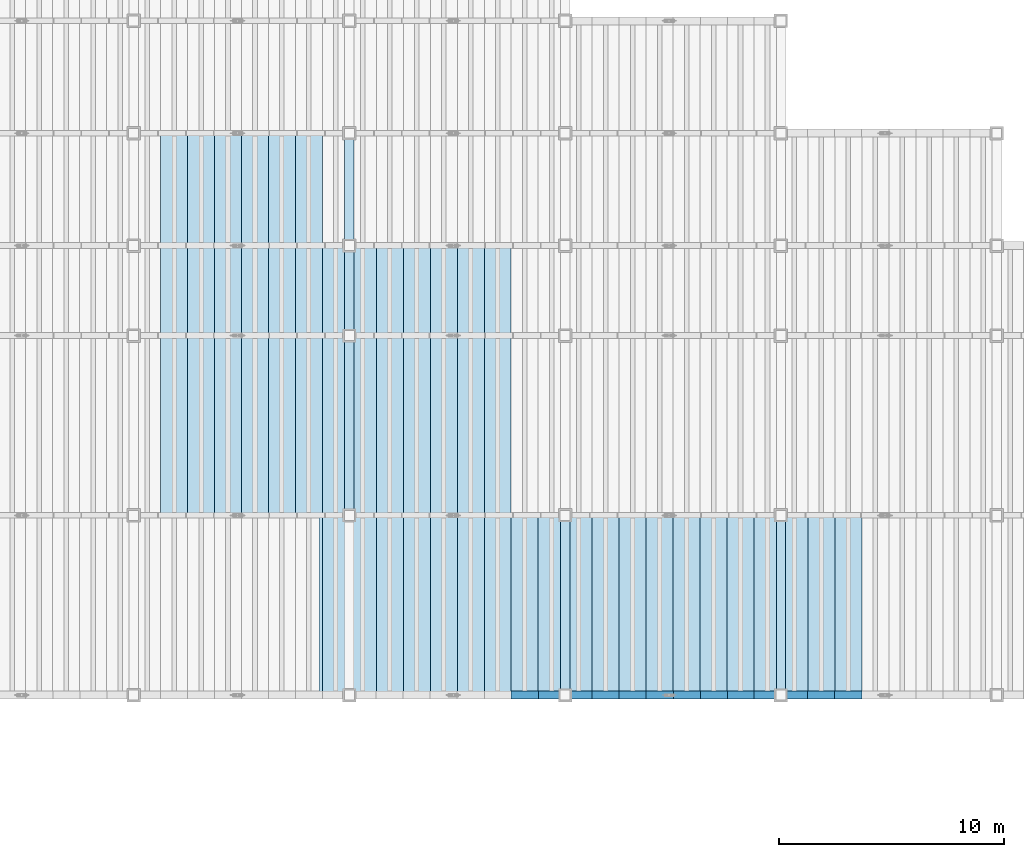
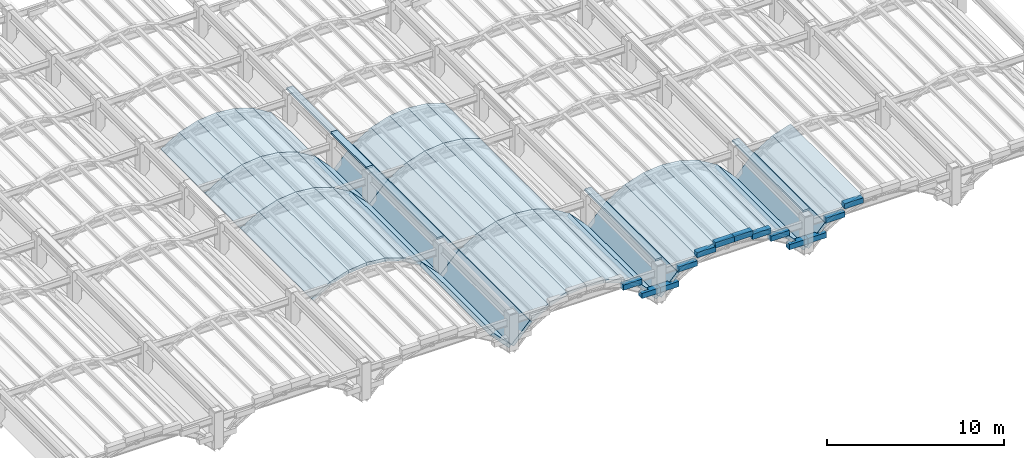
# One storey, part 36 of 70: 52 slabs, 18 plates.
"""IFC4 building model written with IfcOpenShell, lengths in metres."""

import ifcopenshell
import ifcopenshell.guid

model = None  # the IFC model being written
_history = None  # IfcOwnerHistory: only IFC2X3 demands one
_inside = {}  # id of a spatial element -> (the spatial element, [elements in it])
_under = {}  # id of a project, library or spatial element -> (it, [spatial elements below it])
_declared = {}  # id of a project -> (the project, [libraries it declares])
_typed = {}  # id of a type object -> (the type object, [elements of that type])
_made_of = {}  # id of a material, layer set ... -> (it, [elements and type objects made of it])


def new_model(schema):
    """Start an empty IFC model of exactly this schema.

    Asked for "IFC4X3", IfcOpenShell would pick the latest addendum, in which some entities
    have other attributes; the version numbers below select the first issue.
    IFC2X3 requires an IfcOwnerHistory on every rooted entity: one is made here for all.
    """
    global model, _history
    if schema == "IFC4X3":
        model = ifcopenshell.file(schema_version=(4, 3, 0, 0))
    else:
        model = ifcopenshell.file(schema=schema)
    _inside.clear()
    _under.clear()
    _declared.clear()
    _typed.clear()
    _made_of.clear()
    _history = None
    if model.schema == "IFC2X3":
        org = make("IfcOrganization", Name="unknown")
        user = make(
            "IfcPersonAndOrganization",
            ThePerson=make("IfcPerson", FamilyName="unknown"),
            TheOrganization=org,
        )
        app = make(
            "IfcApplication",
            ApplicationDeveloper=org,
            Version="unknown",
            ApplicationFullName="unknown",
            ApplicationIdentifier="unknown",
        )
        _history = make(
            "IfcOwnerHistory",
            OwningUser=user,
            OwningApplication=app,
            ChangeAction="ADDED",
            CreationDate=0,
        )
    return model


def make(cls, **values):
    """One entity of the class cls with the attributes given. An attribute that is None is left unset."""
    return model.create_entity(
        cls, **{name: value for name, value in values.items() if value is not None}
    )


def rooted(cls, **values):
    """An entity with a GlobalId (a new one), such as an element, a storey or a relation."""
    return make(cls, GlobalId=ifcopenshell.guid.new(), OwnerHistory=_history, **values)


def si_unit(unit_type, name, prefix=None):
    """IfcSIUnit, for example si_unit("LENGTHUNIT", "METRE", prefix="MILLI")."""
    return make("IfcSIUnit", UnitType=unit_type, Prefix=prefix, Name=name)


def assignment(units):
    """IfcUnitAssignment: the units of a project."""
    return None if units is None else make("IfcUnitAssignment", Units=units)


def point(xyz):
    """IfcCartesianPoint."""
    return None if xyz is None else make("IfcCartesianPoint", Coordinates=xyz)


def direction(xyz):
    """IfcDirection."""
    return None if xyz is None else make("IfcDirection", DirectionRatios=xyz)


def frame(location, z_axis=None, x_axis=None):
    """IfcAxis2Placement3D, a coordinate frame: its origin and axes. An axis left out is left unset."""
    return make(
        "IfcAxis2Placement3D",
        Location=point(location),
        Axis=direction(z_axis),
        RefDirection=direction(x_axis),
    )


def frame_2d(location, x_axis=None):
    """IfcAxis2Placement2D, a coordinate frame in the plane: its origin and x axis."""
    return make(
        "IfcAxis2Placement2D", Location=point(location), RefDirection=direction(x_axis)
    )


def origin():
    """The frame at (0, 0, 0) with its axes left unset."""
    return frame((0.0, 0.0, 0.0))


def origin_2d():
    """The frame at (0, 0) in the plane with its x axis left unset."""
    return frame_2d((0.0, 0.0))


def place(relative_to, where):
    """IfcLocalPlacement: puts the frame where relative to a parent placement (None: the world)."""
    return make(
        "IfcLocalPlacement", PlacementRelTo=relative_to, RelativePlacement=where
    )


def context(
    kind, dimensions, precision=None, world=None, true_north=None, identifier=None
):
    """IfcGeometricRepresentationContext, for example the 3D "Model" context."""
    return make(
        "IfcGeometricRepresentationContext",
        ContextIdentifier=identifier,
        ContextType=kind,
        CoordinateSpaceDimension=dimensions,
        Precision=precision,
        WorldCoordinateSystem=world,
        TrueNorth=true_north,
    )


def subcontext(parent, identifier, kind, view, scale=None):
    """IfcGeometricRepresentationSubContext, for example "Body" below "Model"."""
    return make(
        "IfcGeometricRepresentationSubContext",
        ContextIdentifier=identifier,
        ContextType=kind,
        ParentContext=parent,
        TargetScale=scale,
        TargetView=view,
    )


def project(units=None, contexts=None):
    """IfcProject with its units and contexts."""
    return rooted(
        "IfcProject",
        Name="project",
        RepresentationContexts=contexts,
        UnitsInContext=assignment(units),
    )


def spatial(cls, under=None, at=None, **own):
    """A site, building, storey or space (cls), placed at a placement, below another one or the project."""
    s = rooted(cls, ObjectPlacement=at, **own)
    if under is not None:
        _under.setdefault(under.id(), (under, []))[1].append(s)
    return s


def polyline(points):
    """IfcPolyline through the points."""
    return make("IfcPolyline", Points=[point(p) for p in points])


def profile(cls, at=None, kind="AREA", **sizes):
    """A parametric profile (cls). Its sizes go by their IFC names, for example OverallWidth=200.0."""
    return make(cls, ProfileType=kind, Position=at, **sizes)


def rectangle(**sizes):
    """IfcRectangleProfileDef."""
    return profile("IfcRectangleProfileDef", **sizes)


def outline(outer, holes=None, kind="AREA"):
    """IfcArbitraryClosedProfileDef: a profile drawn as a closed curve; with holes, ...WithVoids."""
    if holes is None:
        return make("IfcArbitraryClosedProfileDef", ProfileType=kind, OuterCurve=outer)
    return make(
        "IfcArbitraryProfileDefWithVoids",
        ProfileType=kind,
        OuterCurve=outer,
        InnerCurves=holes,
    )


def extrude(swept, where, along, depth):
    """IfcExtrudedAreaSolid: the profile swept, set in the frame where, extruded along a direction by depth."""
    return make(
        "IfcExtrudedAreaSolid",
        SweptArea=swept,
        Position=where,
        ExtrudedDirection=direction(along),
        Depth=depth,
    )


def shape(context_of_items, identifier, shape_type, items):
    """IfcShapeRepresentation: the items that make up one representation, for example the "Body"."""
    return make(
        "IfcShapeRepresentation",
        ContextOfItems=context_of_items,
        RepresentationIdentifier=identifier,
        RepresentationType=shape_type,
        Items=items,
    )


def material(Name=None, Category=None):
    """IfcMaterial."""
    return make("IfcMaterial", Name=Name, Category=Category)


def layer(
    of_material, thickness, ventilated=None, Name=None, Category=None, Priority=None
):
    """IfcMaterialLayer: one layer of a wall or slab, of a material (None: an air gap)."""
    return make(
        "IfcMaterialLayer",
        Material=of_material,
        LayerThickness=thickness,
        IsVentilated=ventilated,
        Name=Name,
        Category=Category,
        Priority=Priority,
    )


def layer_set(layers, Name=None):
    """IfcMaterialLayerSet."""
    return make("IfcMaterialLayerSet", MaterialLayers=layers, LayerSetName=Name)


def made_of(thing, what):
    """Note that an element or type object is made of a material, layer set ...; save() writes the relation."""
    if what is not None:
        _made_of.setdefault(what.id(), (what, []))[1].append(thing)
    return thing


def type_object(cls, material=None, **own):
    """A type object (cls), such as IfcWallType, which elements share."""
    return made_of(rooted(cls, **own), material)


def element(
    cls,
    number,
    at=None,
    inside=None,
    cuts=None,
    type_object=None,
    material=None,
    context=None,
    identifier="Body",
    shape_type=None,
    held_by="IfcProductDefinitionShape",
    body=None,
    shapes=None,
    **own,
):
    """One element of the class cls, such as IfcWall. Its Tag is "e" and its number.

    at: its placement. inside: the storey or other place that contains it. cuts: it is an
    opening in that element (IfcRelVoidsElement). A single representation is given by context,
    identifier, shape_type and body (its items); several are given by shapes. held_by: the class
    of the entity that holds the representations. save() writes the other relations.
    """
    e = rooted(cls, Tag="e%d" % number, ObjectPlacement=at, **own)
    if body is not None:
        shapes = [shape(context, identifier, shape_type, body)]
    if shapes is not None:
        e.Representation = make(held_by, Representations=shapes)
    if inside is not None:
        _inside.setdefault(inside.id(), (inside, []))[1].append(e)
    if cuts is not None:
        rooted(
            "IfcRelVoidsElement", RelatingBuildingElement=cuts, RelatedOpeningElement=e
        )
    if type_object is not None:
        _typed.setdefault(type_object.id(), (type_object, []))[1].append(e)
    return made_of(e, material)


def aggregate(whole, parts):
    """IfcRelAggregates: a whole, such as a stair, and the parts it consists of."""
    return rooted("IfcRelAggregates", RelatingObject=whole, RelatedObjects=parts)


def save(model, path):
    """Write the relations noted so far, then the file.

    IfcRelAggregates (storeys below a building ...), IfcRelContainedInSpatialStructure (elements
    in a storey), IfcRelDefinesByType, IfcRelAssociatesMaterial and IfcRelDeclares: one each for
    every whole, place, type object, material and project.
    """
    for whole, parts in _under.values():
        aggregate(whole, parts)
    for where, things in _inside.values():
        rooted(
            "IfcRelContainedInSpatialStructure",
            RelatedElements=things,
            RelatingStructure=where,
        )
    for kind, things in _typed.values():
        rooted("IfcRelDefinesByType", RelatedObjects=things, RelatingType=kind)
    for what, things in _made_of.values():
        rooted("IfcRelAssociatesMaterial", RelatedObjects=things, RelatingMaterial=what)
    for by, libraries in _declared.values():
        rooted("IfcRelDeclares", RelatingContext=by, RelatedDefinitions=libraries)
    model.write(path)


model = new_model("IFC4")

# Units and contexts
model_context = context("Model", 3, precision=1e-05, world=origin(), true_north=direction((0.0, 1.0)))
body_context = subcontext(model_context, "Body", "Model", "MODEL_VIEW")
ifc_project = project(units=[si_unit("LENGTHUNIT", "METRE"), si_unit("AREAUNIT", "SQUARE_METRE"), si_unit("VOLUMEUNIT", "CUBIC_METRE"), si_unit("PLANEANGLEUNIT", "RADIAN"), si_unit("MASSUNIT", "GRAM", prefix="KILO")], contexts=[model_context])

# Site, building, storey
site_placement = place(None, origin())
site = spatial("IfcSite", under=ifc_project, at=site_placement, CompositionType="ELEMENT")
building_placement = place(site_placement, origin())
building = spatial("IfcBuilding", under=site, at=building_placement, Name="Mavantir Sound Aquarium", CompositionType="ELEMENT")
storey_placement = place(building_placement, frame((0.0, 0.0, 27.0)))
storey = spatial("IfcBuildingStorey", under=building, at=storey_placement, Name="RF", CompositionType="ELEMENT", Elevation=27.0)

# Plates
ifc_material_1 = material(Name="Patinated Bronze-Copper Architectural Fascia", Category="metal")
ifc_layer_1 = layer(ifc_material_1, 0.179931640625, Name="Patinated Bronze-Copper Architectural Fascia")
ifc_layer_set_1 = layer_set([ifc_layer_1], Name="Patinated Bronze-Copper Architectural Fascia")
plate_type = type_object("IfcPlateType", Name="PLT-FASCIA-BZ", PredefinedType="SHEET", material=ifc_layer_set_1)
plate_1_placement = place(storey_placement, frame((136.800048828125, 52.800048828125, -4.52001953125), z_axis=(0.0, 0.0, 1.0), x_axis=(1.0, 0.0, 0.0)))
element("IfcPlate", 1, at=plate_1_placement, inside=storey, type_object=plate_type, Name="Scalloped roof bronze ridge fascia 28", PredefinedType="SHEET", context=body_context, shape_type="SweptSolid", body=[
    extrude(rectangle(XDim=0.419921875, YDim=8.0, at=origin_2d()), origin(), (0.0, 0.0, 1.0), 0.139892578125),
])
plate_2_placement = place(storey_placement, frame((136.800048828125, 58.800048828125, -4.52001953125), z_axis=(0.0, 0.0, 1.0), x_axis=(1.0, 0.0, 0.0)))
element("IfcPlate", 2, at=plate_2_placement, inside=storey, type_object=plate_type, Name="Scalloped roof bronze ridge fascia 29", PredefinedType="SHEET", context=body_context, shape_type="SweptSolid", body=[
    extrude(rectangle(XDim=0.419921875, YDim=4.0, at=origin_2d()), origin(), (0.0, 0.0, 1.0), 0.139892578125),
])
plate_3_placement = place(storey_placement, frame((136.800048828125, 63.300048828125, -4.52001953125), z_axis=(0.0, 0.0, 1.0), x_axis=(1.0, 0.0, 0.0)))
element("IfcPlate", 3, at=plate_3_placement, inside=storey, type_object=plate_type, Name="Scalloped roof bronze ridge fascia 30", PredefinedType="SHEET", context=body_context, shape_type="SweptSolid", body=[
    extrude(rectangle(XDim=0.419921875, YDim=5.0, at=origin_2d()), origin(), (0.0, 0.0, 1.0), 0.139892578125),
])
for number, where, z_axis, x_axis, name in (
    (4, (146.39990234375, 44.800048828125, -4.52001953125), (0.0, 0.0, 1.0), (1.0, 0.0, 0.0), "Scalloped roof bronze ridge fascia 34"),
    (5, (156.0, 44.800048828125, -4.52001953125), (0.0, 0.0, 1.0), (1.0, 0.0, 0.0), "Scalloped roof bronze ridge fascia 40"),
):
    element("IfcPlate", number, at=place(storey_placement, frame(where, z_axis=z_axis, x_axis=x_axis)), inside=storey, type_object=plate_type, Name=name, PredefinedType="SHEET", context=body_context, shape_type="SweptSolid", body=[
        extrude(rectangle(XDim=0.419921875, YDim=8.0, at=origin_2d()), origin(), (0.0, 0.0, 1.0), 0.139892578125),
    ])
for number, where, z_axis, x_axis, name in (
    (6, (144.60009765625, 40.800048828125, -5.6455078125), (0.0, 0.0, 1.0), (1.0, 0.0, 0.0), "Scalloped bay 4 curved bronze end fascia 106"),
    (7, (145.800048828125, 40.800048828125, -6.638671875), (0.0, 0.0, 1.0), (1.0, 0.0, 0.0), "Scalloped bay 4 curved bronze end fascia 107"),
    (8, (147.0, 40.800048828125, -6.638671875), (0.0, 0.0, 1.0), (1.0, 0.0, 0.0), "Scalloped bay 5 curved bronze end fascia 116"),
    (9, (148.199951171875, 40.800048828125, -5.6455078125), (0.0, 0.0, 1.0), (1.0, 0.0, 0.0), "Scalloped bay 5 curved bronze end fascia 117"),
    (10, (149.39990234375, 40.800048828125, -5.08935546875), (0.0, 0.0, 1.0), (1.0, 0.0, 0.0), "Scalloped bay 5 curved bronze end fascia 118"),
    (11, (150.60009765625, 40.800048828125, -4.83203125), (0.0, 0.0, 1.0), (1.0, 0.0, 0.0), "Scalloped bay 5 curved bronze end fascia 119"),
    (12, (151.800048828125, 40.800048828125, -4.83203125), (0.0, 0.0, 1.0), (1.0, 0.0, 0.0), "Scalloped bay 5 curved bronze end fascia 120"),
    (13, (153.0, 40.800048828125, -5.08935546875), (0.0, 0.0, 1.0), (1.0, 0.0, 0.0), "Scalloped bay 5 curved bronze end fascia 121"),
    (14, (154.199951171875, 40.800048828125, -5.6455078125), (0.0, 0.0, 1.0), (1.0, 0.0, 0.0), "Scalloped bay 5 curved bronze end fascia 122"),
    (15, (155.39990234375, 40.800048828125, -6.638671875), (0.0, 0.0, 1.0), (1.0, 0.0, 0.0), "Scalloped bay 5 curved bronze end fascia 123"),
    (16, (156.60009765625, 40.800048828125, -6.638671875), (0.0, 0.0, 1.0), (1.0, 0.0, 0.0), "Scalloped bay 6 curved bronze end fascia 132"),
    (17, (157.800048828125, 40.800048828125, -5.6455078125), (0.0, 0.0, 1.0), (1.0, 0.0, 0.0), "Scalloped bay 6 curved bronze end fascia 133"),
    (18, (159.0, 40.800048828125, -5.08935546875), (0.0, 0.0, 1.0), (1.0, 0.0, 0.0), "Scalloped bay 6 curved bronze end fascia 134"),
):
    element("IfcPlate", number, at=place(storey_placement, frame(where, z_axis=z_axis, x_axis=x_axis)), inside=storey, type_object=plate_type, Name=name, PredefinedType="SHEET", context=body_context, shape_type="SweptSolid", body=[
        extrude(rectangle(XDim=1.219970703125, YDim=0.360107421875, at=origin_2d()), origin(), (0.0, 0.0, 1.0), 0.360107421875),
    ])

# Slabs
ifc_material_2 = material(Name="Concrete C40/50", Category="concrete")
ifc_layer_2 = layer(ifc_material_2, 0.219970703125, Name="Concrete C40/50")
ifc_layer_set_2 = layer_set([ifc_layer_2], Name="Concrete C40/50")
slab_type = type_object("IfcSlabType", Name="SLB-RF-SC", PredefinedType="ROOF", material=ifc_layer_set_2)
slab_1_placement = place(storey_placement, frame((135.60009765625, 40.800048828125, -5.716796875), z_axis=(0.725020424784, 0.0, 0.688727365252), x_axis=(0.688727365252, 0.0, -0.725020424784)))
element("IfcSlab", 19, at=slab_1_placement, inside=storey, type_object=slab_type, Name="Scalloped bay 3 sagging-arc roof panel 144", PredefinedType="ROOF", context=body_context, shape_type="SweptSolid", body=[
    extrude(outline(polyline([(0.0, 0.0), (1.74227311475651, 0.0), (1.74227311475651, 8.0), (0.0, 8.0), (0.0, 0.0)])), origin(), (0.0, 0.0, -1.0), 0.219970703125),
])
slab_2_placement = place(storey_placement, frame((128.39990234375, 48.800048828125, -5.716796875), z_axis=(-0.515827757501, 0.0, 0.856692316174), x_axis=(0.856692316174, 0.0, 0.515827757501)))
element("IfcSlab", 20, at=slab_2_placement, inside=storey, type_object=slab_type, Name="Scalloped bay 3 sagging-arc roof panel 146", PredefinedType="ROOF", context=body_context, shape_type="SweptSolid", body=[
    extrude(outline(polyline([(0.0, 0.0), (1.4009642550083266, 0.0), (1.4009642550083266, 8.0), (0.0, 8.0), (0.0, 0.0)])), origin(), (0.0, 0.0, -1.0), 0.219970703125),
])
slab_3_placement = place(storey_placement, frame((129.60009765625, 48.800048828125, -4.994140625), z_axis=(-0.309020441102, 0.0, 0.951055396379), x_axis=(0.951055396379, 0.0, 0.309020441102)))
element("IfcSlab", 21, at=slab_3_placement, inside=storey, type_object=slab_type, Name="Scalloped bay 3 sagging-arc roof panel 147", PredefinedType="ROOF", context=body_context, shape_type="SweptSolid", body=[
    extrude(outline(polyline([(0.0, 0.0), (1.2617048138772973, 0.0), (1.2617048138772973, 8.000000000000002), (0.0, 8.000000000000002), (0.0, 0.0)])), origin(), (0.0, 0.0, -1.0), 0.219970703125),
])
for number, where, z_axis, x_axis, name in (
    (22, (130.800048828125, 48.800048828125, -4.604248046875), (-0.103009624196, 0.0, 0.994680359373), (0.994680359373, 0.0, 0.103009624196), "Scalloped bay 3 sagging-arc roof panel 148"),
    (23, (132.0, 48.800048828125, -4.47998046875), (0.103009624196, 0.0, 0.994680359373), (0.994680359373, 0.0, -0.103009624196), "Scalloped bay 3 sagging-arc roof panel 149"),
):
    element("IfcSlab", number, at=place(storey_placement, frame(where, z_axis=z_axis, x_axis=x_axis)), inside=storey, type_object=slab_type, Name=name, PredefinedType="ROOF", context=body_context, shape_type="SweptSolid", body=[
        extrude(outline(polyline([(0.0, 0.0), (1.206368619393442, 0.0), (1.206368619393442, 8.000000000000002), (0.0, 8.000000000000002), (0.0, 0.0)])), origin(), (0.0, 0.0, -1.0), 0.219970703125),
    ])
slab_4_placement = place(storey_placement, frame((133.199951171875, 48.800048828125, -4.604248046875), z_axis=(0.309020441102, 0.0, 0.951055396379), x_axis=(0.951055396379, 0.0, -0.309020441102)))
element("IfcSlab", 24, at=slab_4_placement, inside=storey, type_object=slab_type, Name="Scalloped bay 3 sagging-arc roof panel 150", PredefinedType="ROOF", context=body_context, shape_type="SweptSolid", body=[
    extrude(outline(polyline([(0.0, 0.0), (1.2617048138772973, 0.0), (1.2617048138772973, 8.000000000000002), (0.0, 8.000000000000002), (0.0, 0.0)])), origin(), (0.0, 0.0, -1.0), 0.219970703125),
])
slab_5_placement = place(storey_placement, frame((134.39990234375, 48.800048828125, -4.994140625), z_axis=(0.515827757501, 0.0, 0.856692316174), x_axis=(0.856692316174, 0.0, -0.515827757501)))
element("IfcSlab", 25, at=slab_5_placement, inside=storey, type_object=slab_type, Name="Scalloped bay 3 sagging-arc roof panel 151", PredefinedType="ROOF", context=body_context, shape_type="SweptSolid", body=[
    extrude(outline(polyline([(0.0, 0.0), (1.4009642550083266, 0.0), (1.4009642550083266, 8.0), (0.0, 8.0), (0.0, 0.0)])), origin(), (0.0, 0.0, -1.0), 0.219970703125),
])
slab_6_placement = place(storey_placement, frame((135.60009765625, 48.800048828125, -5.716796875), z_axis=(0.725020424784, 0.0, 0.688727365252), x_axis=(0.688727365252, 0.0, -0.725020424784)))
element("IfcSlab", 26, at=slab_6_placement, inside=storey, type_object=slab_type, Name="Scalloped bay 3 sagging-arc roof panel 152", PredefinedType="ROOF", context=body_context, shape_type="SweptSolid", body=[
    extrude(outline(polyline([(0.0, 0.0), (1.74227311475651, 0.0), (1.74227311475651, 8.0), (0.0, 8.0), (0.0, 0.0)])), origin(), (0.0, 0.0, -1.0), 0.219970703125),
])
slab_7_placement = place(storey_placement, frame((128.39990234375, 56.800048828125, -5.716796875), z_axis=(-0.515827757501, 0.0, 0.856692316174), x_axis=(0.856692316174, 0.0, 0.515827757501)))
element("IfcSlab", 27, at=slab_7_placement, inside=storey, type_object=slab_type, Name="Scalloped bay 3 sagging-arc roof panel 154", PredefinedType="ROOF", context=body_context, shape_type="SweptSolid", body=[
    extrude(outline(polyline([(0.0, 0.0), (1.4009642550083266, 0.0), (1.4009642550083266, 4.0), (0.0, 4.0), (0.0, 0.0)])), origin(), (0.0, 0.0, -1.0), 0.219970703125),
])
slab_8_placement = place(storey_placement, frame((129.60009765625, 56.800048828125, -4.994140625), z_axis=(-0.309020441102, 0.0, 0.951055396379), x_axis=(0.951055396379, 0.0, 0.309020441102)))
element("IfcSlab", 28, at=slab_8_placement, inside=storey, type_object=slab_type, Name="Scalloped bay 3 sagging-arc roof panel 155", PredefinedType="ROOF", context=body_context, shape_type="SweptSolid", body=[
    extrude(outline(polyline([(0.0, 0.0), (1.2617048138772973, 0.0), (1.2617048138772973, 4.000000000000001), (0.0, 4.000000000000001), (0.0, 0.0)])), origin(), (0.0, 0.0, -1.0), 0.219970703125),
])
for number, where, z_axis, x_axis, name in (
    (29, (130.800048828125, 56.800048828125, -4.604248046875), (-0.103009624196, 0.0, 0.994680359373), (0.994680359373, 0.0, 0.103009624196), "Scalloped bay 3 sagging-arc roof panel 156"),
    (30, (132.0, 56.800048828125, -4.47998046875), (0.103009624196, 0.0, 0.994680359373), (0.994680359373, 0.0, -0.103009624196), "Scalloped bay 3 sagging-arc roof panel 157"),
):
    element("IfcSlab", number, at=place(storey_placement, frame(where, z_axis=z_axis, x_axis=x_axis)), inside=storey, type_object=slab_type, Name=name, PredefinedType="ROOF", context=body_context, shape_type="SweptSolid", body=[
        extrude(outline(polyline([(0.0, 0.0), (1.206368619393442, 0.0), (1.206368619393442, 4.000000000000001), (0.0, 4.000000000000001), (0.0, 0.0)])), origin(), (0.0, 0.0, -1.0), 0.219970703125),
    ])
slab_9_placement = place(storey_placement, frame((133.199951171875, 56.800048828125, -4.604248046875), z_axis=(0.309020441102, 0.0, 0.951055396379), x_axis=(0.951055396379, 0.0, -0.309020441102)))
element("IfcSlab", 31, at=slab_9_placement, inside=storey, type_object=slab_type, Name="Scalloped bay 3 sagging-arc roof panel 158", PredefinedType="ROOF", context=body_context, shape_type="SweptSolid", body=[
    extrude(outline(polyline([(0.0, 0.0), (1.2617048138772973, 0.0), (1.2617048138772973, 4.000000000000001), (0.0, 4.000000000000001), (0.0, 0.0)])), origin(), (0.0, 0.0, -1.0), 0.219970703125),
])
slab_10_placement = place(storey_placement, frame((134.39990234375, 56.800048828125, -4.994140625), z_axis=(0.515827757501, 0.0, 0.856692316174), x_axis=(0.856692316174, 0.0, -0.515827757501)))
element("IfcSlab", 32, at=slab_10_placement, inside=storey, type_object=slab_type, Name="Scalloped bay 3 sagging-arc roof panel 159", PredefinedType="ROOF", context=body_context, shape_type="SweptSolid", body=[
    extrude(outline(polyline([(0.0, 0.0), (1.4009642550083266, 0.0), (1.4009642550083266, 4.0), (0.0, 4.0), (0.0, 0.0)])), origin(), (0.0, 0.0, -1.0), 0.219970703125),
])
slab_11_placement = place(storey_placement, frame((135.60009765625, 56.800048828125, -5.716796875), z_axis=(0.725020424784, 0.0, 0.688727365252), x_axis=(0.688727365252, 0.0, -0.725020424784)))
element("IfcSlab", 33, at=slab_11_placement, inside=storey, type_object=slab_type, Name="Scalloped bay 3 sagging-arc roof panel 160", PredefinedType="ROOF", context=body_context, shape_type="SweptSolid", body=[
    extrude(outline(polyline([(0.0, 0.0), (1.74227311475651, 0.0), (1.74227311475651, 4.0), (0.0, 4.0), (0.0, 0.0)])), origin(), (0.0, 0.0, -1.0), 0.219970703125),
])
slab_12_placement = place(storey_placement, frame((128.39990234375, 60.800048828125, -5.716796875), z_axis=(-0.515827757501, 0.0, 0.856692316174), x_axis=(0.856692316174, 0.0, 0.515827757501)))
element("IfcSlab", 34, at=slab_12_placement, inside=storey, type_object=slab_type, Name="Scalloped bay 3 sagging-arc roof panel 162", PredefinedType="ROOF", context=body_context, shape_type="SweptSolid", body=[
    extrude(outline(polyline([(0.0, 0.0), (1.4009642550083266, 0.0), (1.4009642550083266, 5.0), (0.0, 5.0), (0.0, 0.0)])), origin(), (0.0, 0.0, -1.0), 0.219970703125),
])
slab_13_placement = place(storey_placement, frame((129.60009765625, 60.800048828125, -4.994140625), z_axis=(-0.309020441102, 0.0, 0.951055396379), x_axis=(0.951055396379, 0.0, 0.309020441102)))
element("IfcSlab", 35, at=slab_13_placement, inside=storey, type_object=slab_type, Name="Scalloped bay 3 sagging-arc roof panel 163", PredefinedType="ROOF", context=body_context, shape_type="SweptSolid", body=[
    extrude(outline(polyline([(0.0, 0.0), (1.2617048138772973, 0.0), (1.2617048138772973, 5.0), (0.0, 5.0), (0.0, 0.0)])), origin(), (0.0, 0.0, -1.0), 0.219970703125),
])
for number, where, z_axis, x_axis, name in (
    (36, (130.800048828125, 60.800048828125, -4.604248046875), (-0.103009624196, 0.0, 0.994680359373), (0.994680359373, 0.0, 0.103009624196), "Scalloped bay 3 sagging-arc roof panel 164"),
    (37, (132.0, 60.800048828125, -4.47998046875), (0.103009624196, 0.0, 0.994680359373), (0.994680359373, 0.0, -0.103009624196), "Scalloped bay 3 sagging-arc roof panel 165"),
):
    element("IfcSlab", number, at=place(storey_placement, frame(where, z_axis=z_axis, x_axis=x_axis)), inside=storey, type_object=slab_type, Name=name, PredefinedType="ROOF", context=body_context, shape_type="SweptSolid", body=[
        extrude(outline(polyline([(0.0, 0.0), (1.206368619393442, 0.0), (1.206368619393442, 5.000000000000001), (0.0, 5.000000000000001), (0.0, 0.0)])), origin(), (0.0, 0.0, -1.0), 0.219970703125),
    ])
slab_14_placement = place(storey_placement, frame((133.199951171875, 60.800048828125, -4.604248046875), z_axis=(0.309020441102, 0.0, 0.951055396379), x_axis=(0.951055396379, 0.0, -0.309020441102)))
element("IfcSlab", 38, at=slab_14_placement, inside=storey, type_object=slab_type, Name="Scalloped bay 3 sagging-arc roof panel 166", PredefinedType="ROOF", context=body_context, shape_type="SweptSolid", body=[
    extrude(outline(polyline([(0.0, 0.0), (1.2617048138772973, 0.0), (1.2617048138772973, 5.0), (0.0, 5.0), (0.0, 0.0)])), origin(), (0.0, 0.0, -1.0), 0.219970703125),
])
slab_15_placement = place(storey_placement, frame((134.39990234375, 60.800048828125, -4.994140625), z_axis=(0.515827757501, 0.0, 0.856692316174), x_axis=(0.856692316174, 0.0, -0.515827757501)))
element("IfcSlab", 39, at=slab_15_placement, inside=storey, type_object=slab_type, Name="Scalloped bay 3 sagging-arc roof panel 167", PredefinedType="ROOF", context=body_context, shape_type="SweptSolid", body=[
    extrude(outline(polyline([(0.0, 0.0), (1.4009642550083266, 0.0), (1.4009642550083266, 5.0), (0.0, 5.0), (0.0, 0.0)])), origin(), (0.0, 0.0, -1.0), 0.219970703125),
])
slab_16_placement = place(storey_placement, frame((136.800048828125, 40.800048828125, -6.97998046875), z_axis=(-0.725020424784, 0.0, 0.688727365252), x_axis=(0.688727365252, 0.0, 0.725020424784)))
element("IfcSlab", 40, at=slab_16_placement, inside=storey, type_object=slab_type, Name="Scalloped bay 4 sagging-arc roof panel 193", PredefinedType="ROOF", context=body_context, shape_type="SweptSolid", body=[
    extrude(outline(polyline([(0.0, 0.0), (1.74227311475651, 0.0), (1.74227311475651, 8.0), (0.0, 8.0), (0.0, 0.0)])), origin(), (0.0, 0.0, -1.0), 0.219970703125),
])
slab_17_placement = place(storey_placement, frame((138.0, 40.800048828125, -5.716796875), z_axis=(-0.515904776109, 0.0, 0.856645937356), x_axis=(0.856645937356, 0.0, 0.515904776109)))
element("IfcSlab", 41, at=slab_17_placement, inside=storey, type_object=slab_type, Name="Scalloped bay 4 sagging-arc roof panel 194", PredefinedType="ROOF", context=body_context, shape_type="SweptSolid", body=[
    extrude(outline(polyline([(0.0, 0.0), (1.4007551072718774, 0.0), (1.4007551072718774, 8.0), (0.0, 8.0), (0.0, 0.0)])), origin(), (0.0, 0.0, -1.0), 0.219970703125),
])
slab_18_placement = place(storey_placement, frame((139.199951171875, 40.800048828125, -4.994140625), z_axis=(-0.309020441102, 0.0, 0.951055396379), x_axis=(0.951055396379, 0.0, 0.309020441102)))
element("IfcSlab", 42, at=slab_18_placement, inside=storey, type_object=slab_type, Name="Scalloped bay 4 sagging-arc roof panel 195", PredefinedType="ROOF", context=body_context, shape_type="SweptSolid", body=[
    extrude(outline(polyline([(0.0, 0.0), (1.2617048138772973, 0.0), (1.2617048138772973, 8.000000000000002), (0.0, 8.000000000000002), (0.0, 0.0)])), origin(), (0.0, 0.0, -1.0), 0.219970703125),
])
slab_19_placement = place(storey_placement, frame((140.39990234375, 40.800048828125, -4.604248046875), z_axis=(-0.102988892519, 0.0, 0.994682506138), x_axis=(0.994682506138, 0.0, 0.102988892519)))
element("IfcSlab", 43, at=slab_19_placement, inside=storey, type_object=slab_type, Name="Scalloped bay 4 sagging-arc roof panel 196", PredefinedType="ROOF", context=body_context, shape_type="SweptSolid", body=[
    extrude(outline(polyline([(0.0, 0.0), (1.206611461540137, 0.0), (1.206611461540137, 8.0), (0.0, 8.0), (0.0, 0.0)])), origin(), (0.0, 0.0, -1.0), 0.219970703125),
])
slab_20_placement = place(storey_placement, frame((141.60009765625, 40.800048828125, -4.47998046875), z_axis=(0.103009624196, 0.0, 0.994680359373), x_axis=(0.994680359373, 0.0, -0.103009624196)))
element("IfcSlab", 44, at=slab_20_placement, inside=storey, type_object=slab_type, Name="Scalloped bay 4 sagging-arc roof panel 197", PredefinedType="ROOF", context=body_context, shape_type="SweptSolid", body=[
    extrude(outline(polyline([(0.0, 0.0), (1.206368619393442, 0.0), (1.206368619393442, 8.000000000000002), (0.0, 8.000000000000002), (0.0, 0.0)])), origin(), (0.0, 0.0, -1.0), 0.219970703125),
])
slab_21_placement = place(storey_placement, frame((142.800048828125, 40.800048828125, -4.604248046875), z_axis=(0.309020441102, 0.0, 0.951055396379), x_axis=(0.951055396379, 0.0, -0.309020441102)))
element("IfcSlab", 45, at=slab_21_placement, inside=storey, type_object=slab_type, Name="Scalloped bay 4 sagging-arc roof panel 198", PredefinedType="ROOF", context=body_context, shape_type="SweptSolid", body=[
    extrude(outline(polyline([(0.0, 0.0), (1.2617048138772973, 0.0), (1.2617048138772973, 8.000000000000002), (0.0, 8.000000000000002), (0.0, 0.0)])), origin(), (0.0, 0.0, -1.0), 0.219970703125),
])
slab_22_placement = place(storey_placement, frame((144.0, 40.800048828125, -4.994140625), z_axis=(0.515904776109, 0.0, 0.856645937356), x_axis=(0.856645937356, 0.0, -0.515904776109)))
element("IfcSlab", 46, at=slab_22_placement, inside=storey, type_object=slab_type, Name="Scalloped bay 4 sagging-arc roof panel 199", PredefinedType="ROOF", context=body_context, shape_type="SweptSolid", body=[
    extrude(outline(polyline([(0.0, 0.0), (1.4007551072718774, 0.0), (1.4007551072718774, 8.0), (0.0, 8.0), (0.0, 0.0)])), origin(), (0.0, 0.0, -1.0), 0.219970703125),
])
for number, where, z_axis, x_axis, name in (
    (47, (145.199951171875, 40.800048828125, -5.716796875), (0.725020424784, 0.0, 0.688727365252), (0.688727365252, 0.0, -0.725020424784), "Scalloped bay 4 sagging-arc roof panel 200"),
    (48, (136.800048828125, 48.800048828125, -6.97998046875), (-0.725020424784, 0.0, 0.688727365252), (0.688727365252, 0.0, 0.725020424784), "Scalloped bay 4 sagging-arc roof panel 201"),
):
    element("IfcSlab", number, at=place(storey_placement, frame(where, z_axis=z_axis, x_axis=x_axis)), inside=storey, type_object=slab_type, Name=name, PredefinedType="ROOF", context=body_context, shape_type="SweptSolid", body=[
        extrude(outline(polyline([(0.0, 0.0), (1.74227311475651, 0.0), (1.74227311475651, 8.0), (0.0, 8.0), (0.0, 0.0)])), origin(), (0.0, 0.0, -1.0), 0.219970703125),
    ])
slab_23_placement = place(storey_placement, frame((138.0, 48.800048828125, -5.716796875), z_axis=(-0.515904776109, 0.0, 0.856645937356), x_axis=(0.856645937356, 0.0, 0.515904776109)))
element("IfcSlab", 49, at=slab_23_placement, inside=storey, type_object=slab_type, Name="Scalloped bay 4 sagging-arc roof panel 202", PredefinedType="ROOF", context=body_context, shape_type="SweptSolid", body=[
    extrude(outline(polyline([(0.0, 0.0), (1.4007551072718774, 0.0), (1.4007551072718774, 8.0), (0.0, 8.0), (0.0, 0.0)])), origin(), (0.0, 0.0, -1.0), 0.219970703125),
])
slab_24_placement = place(storey_placement, frame((139.199951171875, 48.800048828125, -4.994140625), z_axis=(-0.309020441102, 0.0, 0.951055396379), x_axis=(0.951055396379, 0.0, 0.309020441102)))
element("IfcSlab", 50, at=slab_24_placement, inside=storey, type_object=slab_type, Name="Scalloped bay 4 sagging-arc roof panel 203", PredefinedType="ROOF", context=body_context, shape_type="SweptSolid", body=[
    extrude(outline(polyline([(0.0, 0.0), (1.2617048138772973, 0.0), (1.2617048138772973, 8.000000000000002), (0.0, 8.000000000000002), (0.0, 0.0)])), origin(), (0.0, 0.0, -1.0), 0.219970703125),
])
slab_25_placement = place(storey_placement, frame((140.39990234375, 48.800048828125, -4.604248046875), z_axis=(-0.102988892519, 0.0, 0.994682506138), x_axis=(0.994682506138, 0.0, 0.102988892519)))
element("IfcSlab", 51, at=slab_25_placement, inside=storey, type_object=slab_type, Name="Scalloped bay 4 sagging-arc roof panel 204", PredefinedType="ROOF", context=body_context, shape_type="SweptSolid", body=[
    extrude(outline(polyline([(0.0, 0.0), (1.206611461540137, 0.0), (1.206611461540137, 8.0), (0.0, 8.0), (0.0, 0.0)])), origin(), (0.0, 0.0, -1.0), 0.219970703125),
])
slab_26_placement = place(storey_placement, frame((141.60009765625, 48.800048828125, -4.47998046875), z_axis=(0.103009624196, 0.0, 0.994680359373), x_axis=(0.994680359373, 0.0, -0.103009624196)))
element("IfcSlab", 52, at=slab_26_placement, inside=storey, type_object=slab_type, Name="Scalloped bay 4 sagging-arc roof panel 205", PredefinedType="ROOF", context=body_context, shape_type="SweptSolid", body=[
    extrude(outline(polyline([(0.0, 0.0), (1.206368619393442, 0.0), (1.206368619393442, 8.000000000000002), (0.0, 8.000000000000002), (0.0, 0.0)])), origin(), (0.0, 0.0, -1.0), 0.219970703125),
])
slab_27_placement = place(storey_placement, frame((142.800048828125, 48.800048828125, -4.604248046875), z_axis=(0.309020441102, 0.0, 0.951055396379), x_axis=(0.951055396379, 0.0, -0.309020441102)))
element("IfcSlab", 53, at=slab_27_placement, inside=storey, type_object=slab_type, Name="Scalloped bay 4 sagging-arc roof panel 206", PredefinedType="ROOF", context=body_context, shape_type="SweptSolid", body=[
    extrude(outline(polyline([(0.0, 0.0), (1.2617048138772973, 0.0), (1.2617048138772973, 8.000000000000002), (0.0, 8.000000000000002), (0.0, 0.0)])), origin(), (0.0, 0.0, -1.0), 0.219970703125),
])
slab_28_placement = place(storey_placement, frame((136.800048828125, 56.800048828125, -6.97998046875), z_axis=(-0.725020424784, 0.0, 0.688727365252), x_axis=(0.688727365252, 0.0, 0.725020424784)))
element("IfcSlab", 54, at=slab_28_placement, inside=storey, type_object=slab_type, Name="Scalloped bay 4 sagging-arc roof panel 209", PredefinedType="ROOF", context=body_context, shape_type="SweptSolid", body=[
    extrude(outline(polyline([(0.0, 0.0), (1.74227311475651, 0.0), (1.74227311475651, 4.0), (0.0, 4.0), (0.0, 0.0)])), origin(), (0.0, 0.0, -1.0), 0.219970703125),
])
slab_29_placement = place(storey_placement, frame((138.0, 56.800048828125, -5.716796875), z_axis=(-0.515904776109, 0.0, 0.856645937356), x_axis=(0.856645937356, 0.0, 0.515904776109)))
element("IfcSlab", 55, at=slab_29_placement, inside=storey, type_object=slab_type, Name="Scalloped bay 4 sagging-arc roof panel 210", PredefinedType="ROOF", context=body_context, shape_type="SweptSolid", body=[
    extrude(outline(polyline([(0.0, 0.0), (1.4007551072718774, 0.0), (1.4007551072718774, 4.0), (0.0, 4.0), (0.0, 0.0)])), origin(), (0.0, 0.0, -1.0), 0.219970703125),
])
slab_30_placement = place(storey_placement, frame((139.199951171875, 56.800048828125, -4.994140625), z_axis=(-0.309020441102, 0.0, 0.951055396379), x_axis=(0.951055396379, 0.0, 0.309020441102)))
element("IfcSlab", 56, at=slab_30_placement, inside=storey, type_object=slab_type, Name="Scalloped bay 4 sagging-arc roof panel 211", PredefinedType="ROOF", context=body_context, shape_type="SweptSolid", body=[
    extrude(outline(polyline([(0.0, 0.0), (1.2617048138772973, 0.0), (1.2617048138772973, 4.000000000000001), (0.0, 4.000000000000001), (0.0, 0.0)])), origin(), (0.0, 0.0, -1.0), 0.219970703125),
])
slab_31_placement = place(storey_placement, frame((140.39990234375, 56.800048828125, -4.604248046875), z_axis=(-0.102988892519, 0.0, 0.994682506138), x_axis=(0.994682506138, 0.0, 0.102988892519)))
element("IfcSlab", 57, at=slab_31_placement, inside=storey, type_object=slab_type, Name="Scalloped bay 4 sagging-arc roof panel 212", PredefinedType="ROOF", context=body_context, shape_type="SweptSolid", body=[
    extrude(outline(polyline([(0.0, 0.0), (1.206611461540137, 0.0), (1.206611461540137, 4.0), (0.0, 4.0), (0.0, 0.0)])), origin(), (0.0, 0.0, -1.0), 0.219970703125),
])
slab_32_placement = place(storey_placement, frame((141.60009765625, 56.800048828125, -4.47998046875), z_axis=(0.103009624196, 0.0, 0.994680359373), x_axis=(0.994680359373, 0.0, -0.103009624196)))
element("IfcSlab", 58, at=slab_32_placement, inside=storey, type_object=slab_type, Name="Scalloped bay 4 sagging-arc roof panel 213", PredefinedType="ROOF", context=body_context, shape_type="SweptSolid", body=[
    extrude(outline(polyline([(0.0, 0.0), (1.206368619393442, 0.0), (1.206368619393442, 4.000000000000001), (0.0, 4.000000000000001), (0.0, 0.0)])), origin(), (0.0, 0.0, -1.0), 0.219970703125),
])
slab_33_placement = place(storey_placement, frame((142.800048828125, 56.800048828125, -4.604248046875), z_axis=(0.309020441102, 0.0, 0.951055396379), x_axis=(0.951055396379, 0.0, -0.309020441102)))
element("IfcSlab", 59, at=slab_33_placement, inside=storey, type_object=slab_type, Name="Scalloped bay 4 sagging-arc roof panel 214", PredefinedType="ROOF", context=body_context, shape_type="SweptSolid", body=[
    extrude(outline(polyline([(0.0, 0.0), (1.2617048138772973, 0.0), (1.2617048138772973, 4.000000000000001), (0.0, 4.000000000000001), (0.0, 0.0)])), origin(), (0.0, 0.0, -1.0), 0.219970703125),
])
slab_34_placement = place(storey_placement, frame((146.39990234375, 40.800048828125, -6.97998046875), z_axis=(-0.724950456261, 0.0, 0.688801013332), x_axis=(0.688801013332, 0.0, 0.724950456261)))
element("IfcSlab", 60, at=slab_34_placement, inside=storey, type_object=slab_type, Name="Scalloped bay 5 sagging-arc roof panel 241", PredefinedType="ROOF", context=body_context, shape_type="SweptSolid", body=[
    extrude(outline(polyline([(0.0, 0.0), (1.7424412700765952, 0.0), (1.7424412700765952, 8.000000000000002), (0.0, 8.000000000000002), (0.0, 0.0)])), origin(), (0.0, 0.0, -1.0), 0.219970703125),
])
slab_35_placement = place(storey_placement, frame((147.60009765625, 40.800048828125, -5.716796875), z_axis=(-0.515904776109, 0.0, 0.856645937356), x_axis=(0.856645937356, 0.0, 0.515904776109)))
element("IfcSlab", 61, at=slab_35_placement, inside=storey, type_object=slab_type, Name="Scalloped bay 5 sagging-arc roof panel 242", PredefinedType="ROOF", context=body_context, shape_type="SweptSolid", body=[
    extrude(outline(polyline([(0.0, 0.0), (1.4007551072718774, 0.0), (1.4007551072718774, 8.0), (0.0, 8.0), (0.0, 0.0)])), origin(), (0.0, 0.0, -1.0), 0.219970703125),
])
slab_36_placement = place(storey_placement, frame((148.800048828125, 40.800048828125, -4.994140625), z_axis=(-0.309020441102, 0.0, 0.951055396379), x_axis=(0.951055396379, 0.0, 0.309020441102)))
element("IfcSlab", 62, at=slab_36_placement, inside=storey, type_object=slab_type, Name="Scalloped bay 5 sagging-arc roof panel 243", PredefinedType="ROOF", context=body_context, shape_type="SweptSolid", body=[
    extrude(outline(polyline([(0.0, 0.0), (1.2617048138772973, 0.0), (1.2617048138772973, 8.000000000000002), (0.0, 8.000000000000002), (0.0, 0.0)])), origin(), (0.0, 0.0, -1.0), 0.219970703125),
])
for number, where, z_axis, x_axis, name in (
    (63, (150.0, 40.800048828125, -4.604248046875), (-0.103009624196, 0.0, 0.994680359373), (0.994680359373, 0.0, 0.103009624196), "Scalloped bay 5 sagging-arc roof panel 244"),
    (64, (151.199951171875, 40.800048828125, -4.47998046875), (0.103009624196, 0.0, 0.994680359373), (0.994680359373, 0.0, -0.103009624196), "Scalloped bay 5 sagging-arc roof panel 245"),
):
    element("IfcSlab", number, at=place(storey_placement, frame(where, z_axis=z_axis, x_axis=x_axis)), inside=storey, type_object=slab_type, Name=name, PredefinedType="ROOF", context=body_context, shape_type="SweptSolid", body=[
        extrude(outline(polyline([(0.0, 0.0), (1.206368619393442, 0.0), (1.206368619393442, 8.000000000000002), (0.0, 8.000000000000002), (0.0, 0.0)])), origin(), (0.0, 0.0, -1.0), 0.219970703125),
    ])
slab_37_placement = place(storey_placement, frame((152.39990234375, 40.800048828125, -4.604248046875), z_axis=(0.30896358205, 0.0, 0.951073869353), x_axis=(0.951073869353, 0.0, -0.30896358205)))
element("IfcSlab", 65, at=slab_37_placement, inside=storey, type_object=slab_type, Name="Scalloped bay 5 sagging-arc roof panel 246", PredefinedType="ROOF", context=body_context, shape_type="SweptSolid", body=[
    extrude(outline(polyline([(0.0, 0.0), (1.261937007391388, 0.0), (1.261937007391388, 7.999999999999999), (0.0, 7.999999999999999), (0.0, 0.0)])), origin(), (0.0, 0.0, -1.0), 0.219970703125),
])
slab_38_placement = place(storey_placement, frame((153.60009765625, 40.800048828125, -4.994140625), z_axis=(0.515904776109, 0.0, 0.856645937356), x_axis=(0.856645937356, 0.0, -0.515904776109)))
element("IfcSlab", 66, at=slab_38_placement, inside=storey, type_object=slab_type, Name="Scalloped bay 5 sagging-arc roof panel 247", PredefinedType="ROOF", context=body_context, shape_type="SweptSolid", body=[
    extrude(outline(polyline([(0.0, 0.0), (1.4007551072718774, 0.0), (1.4007551072718774, 8.0), (0.0, 8.0), (0.0, 0.0)])), origin(), (0.0, 0.0, -1.0), 0.219970703125),
])
for number, where, z_axis, x_axis, name in (
    (67, (154.800048828125, 40.800048828125, -5.716796875), (0.725020424784, 0.0, 0.688727365252), (0.688727365252, 0.0, -0.725020424784), "Scalloped bay 5 sagging-arc roof panel 248"),
    (68, (156.0, 40.800048828125, -6.97998046875), (-0.725020424784, 0.0, 0.688727365252), (0.688727365252, 0.0, 0.725020424784), "Scalloped bay 6 sagging-arc roof panel 281"),
):
    element("IfcSlab", number, at=place(storey_placement, frame(where, z_axis=z_axis, x_axis=x_axis)), inside=storey, type_object=slab_type, Name=name, PredefinedType="ROOF", context=body_context, shape_type="SweptSolid", body=[
        extrude(outline(polyline([(0.0, 0.0), (1.74227311475651, 0.0), (1.74227311475651, 8.0), (0.0, 8.0), (0.0, 0.0)])), origin(), (0.0, 0.0, -1.0), 0.219970703125),
    ])
slab_39_placement = place(storey_placement, frame((157.199951171875, 40.800048828125, -5.716796875), z_axis=(-0.515904776109, 0.0, 0.856645937356), x_axis=(0.856645937356, 0.0, 0.515904776109)))
element("IfcSlab", 69, at=slab_39_placement, inside=storey, type_object=slab_type, Name="Scalloped bay 6 sagging-arc roof panel 282", PredefinedType="ROOF", context=body_context, shape_type="SweptSolid", body=[
    extrude(outline(polyline([(0.0, 0.0), (1.4007551072718774, 0.0), (1.4007551072718774, 8.0), (0.0, 8.0), (0.0, 0.0)])), origin(), (0.0, 0.0, -1.0), 0.219970703125),
])
slab_40_placement = place(storey_placement, frame((158.39990234375, 40.800048828125, -4.994140625), z_axis=(-0.30896358205, 0.0, 0.951073869353), x_axis=(0.951073869353, 0.0, 0.30896358205)))
element("IfcSlab", 70, at=slab_40_placement, inside=storey, type_object=slab_type, Name="Scalloped bay 6 sagging-arc roof panel 283", PredefinedType="ROOF", context=body_context, shape_type="SweptSolid", body=[
    extrude(outline(polyline([(0.0, 0.0), (1.261937007391388, 0.0), (1.261937007391388, 7.999999999999999), (0.0, 7.999999999999999), (0.0, 0.0)])), origin(), (0.0, 0.0, -1.0), 0.219970703125),
])

save(model, "model.ifc")
